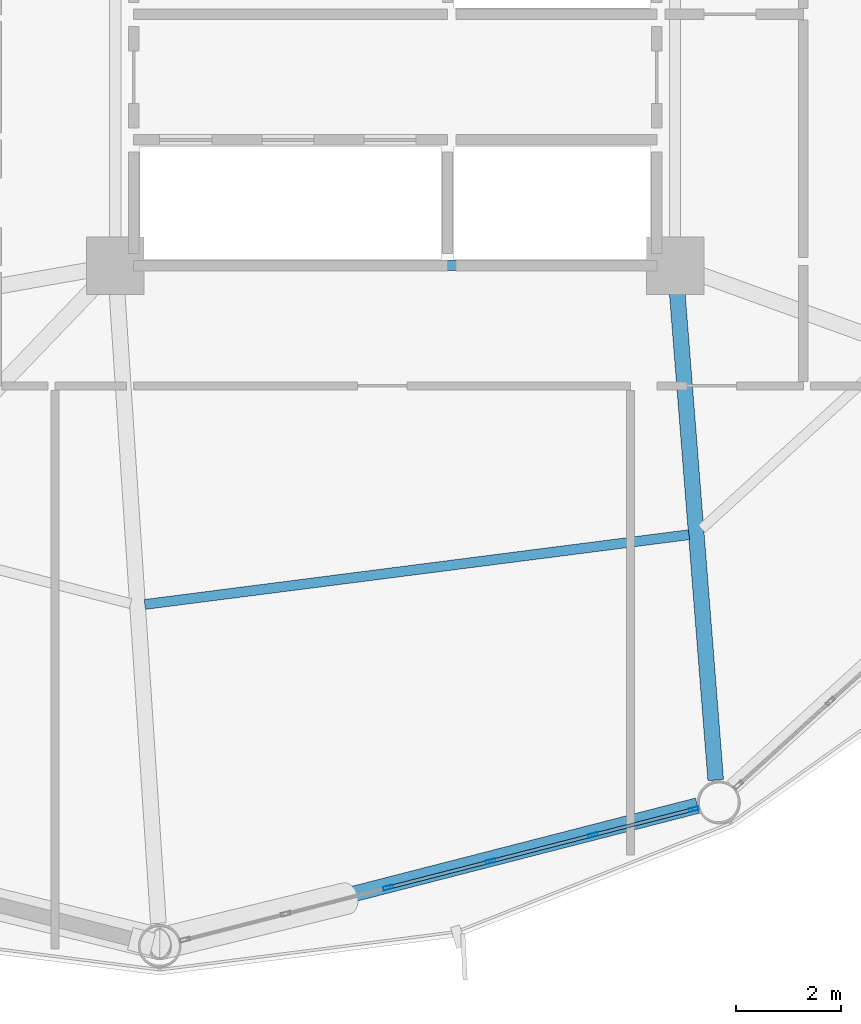
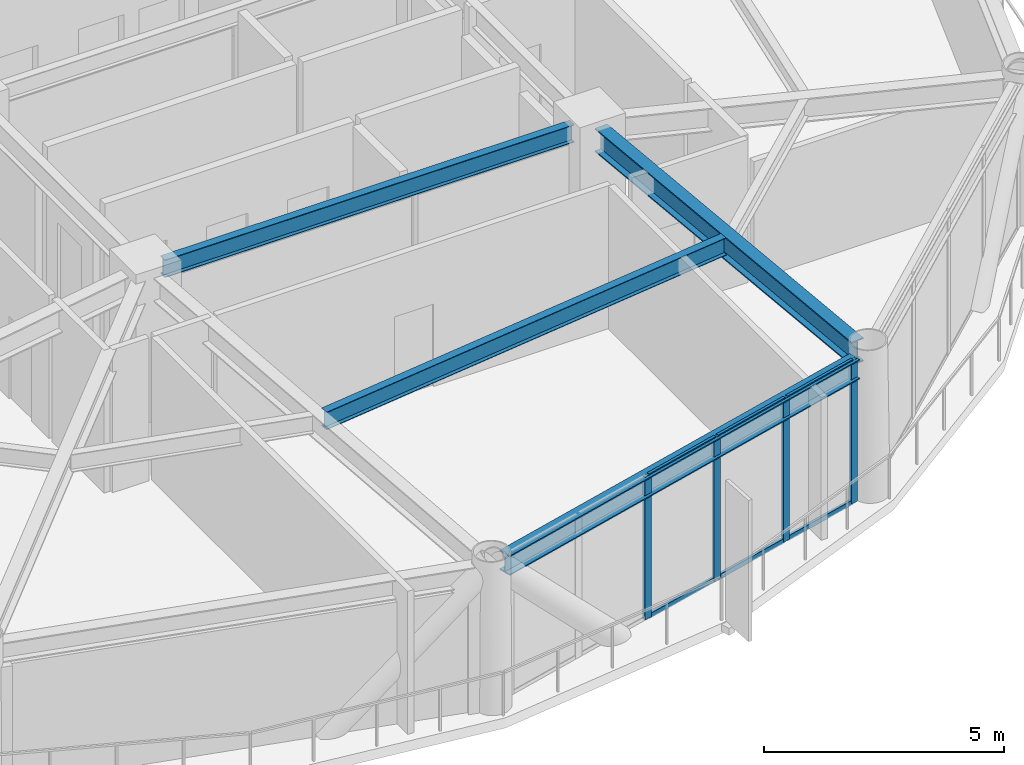
# One storey, part 6 of 23: 10 members, 4 beams, 1 element without a shape of its own.
"""IFC4 building model written with IfcOpenShell, lengths in metres."""

from ifc_helpers import new_model, si_unit, direction, frame, origin, origin_2d, place, context, subcontext, project, spatial, hollow_rectangle, i_section, extrude, material, layer, layer_set, material_profile, profile_set, type_object, element, aggregate, save


model = new_model("IFC4")

# Units and contexts
model_context = context("Model", 3, precision=1e-05, world=origin(), true_north=direction((0.0, 1.0)))
body_context = subcontext(model_context, "Body", "Model", "MODEL_VIEW")
ifc_project = project(units=[si_unit("LENGTHUNIT", "METRE"), si_unit("AREAUNIT", "SQUARE_METRE"), si_unit("VOLUMEUNIT", "CUBIC_METRE"), si_unit("PLANEANGLEUNIT", "RADIAN"), si_unit("MASSUNIT", "GRAM", prefix="KILO")], contexts=[model_context])

# Site, building, storey
site_placement = place(None, origin())
site = spatial("IfcSite", under=ifc_project, at=site_placement, CompositionType="ELEMENT")
building_placement = place(site_placement, origin())
building = spatial("IfcBuilding", under=site, at=building_placement, Name="Varnakorn Sky Granary", CompositionType="ELEMENT")
storey_placement = place(building_placement, frame((0.0, 0.0, 107.10009765625)))
storey = spatial("IfcBuildingStorey", under=building, at=storey_placement, Name="L26", CompositionType="ELEMENT", Elevation=107.10009765625)

# Beams
ifc_material_1 = material(Name="Steel S355JR", Category="steel")
ifc_material_profile_1 = material_profile(ifc_material_1, i_section(OverallWidth=0.300048828125, OverallDepth=0.60009765625, WebThickness=0.015380859375, FlangeThickness=0.030029296875, at=origin_2d()), Name="HE 600 B")
ifc_profile_set_1 = profile_set([ifc_material_profile_1], Name="Steel S355JR")
beam_type_1 = type_object("IfcBeamType", Name="BM-RAD-Z2", PredefinedType="BEAM", material=ifc_profile_set_1)
beam_1_placement = place(storey_placement, frame((8.383056640625, -7.018798828125, 3.33984375), z_axis=(0.07872411487, -0.996896440829, 0.0), x_axis=(0.996896440829, 0.07872411487, 0.0)))
element("IfcBeam", 1, at=beam_1_placement, inside=storey, type_object=beam_type_1, Name="Radial Floor Girder RG11 L26", PredefinedType="BEAM", context=body_context, shape_type="SweptSolid", body=[
    extrude(i_section(OverallWidth=0.300048828125, OverallDepth=0.60009765625, WebThickness=0.015380859375, FlangeThickness=0.030029296875, at=origin_2d()), origin(), (0.0, 0.0, 1.0), 9.4462890625),
])
ifc_material_profile_2 = material_profile(ifc_material_1, i_section(OverallWidth=0.18994140625, OverallDepth=0.449951171875, WebThickness=0.009521484375, FlangeThickness=0.0146484375, at=origin_2d()), Name="IPE 450")
ifc_profile_set_2 = profile_set([ifc_material_profile_2], Name="Steel S355JR")
beam_type_2 = type_object("IfcBeamType", Name="BM-SEC-Z2", PredefinedType="BEAM", material=ifc_profile_set_2)
beam_2_placement = place(storey_placement, frame((-1.78515625, -13.078369140625, 3.414794921875), z_axis=(0.991884375176, 0.127143172378, 0.0), x_axis=(-0.127143172378, 0.991884375176, 0.0)))
element("IfcBeam", 2, at=beam_2_placement, inside=storey, type_object=beam_type_2, Name="Secondary Floor Chord Beam MSB10 L26", PredefinedType="BEAM", context=body_context, shape_type="SweptSolid", body=[
    extrude(i_section(OverallWidth=0.18994140625, OverallDepth=0.449951171875, WebThickness=0.009521484375, FlangeThickness=0.0146484375, at=origin_2d()), origin(), (0.0, 0.0, 1.0), 10.486328125),
])
beam_3_placement = place(storey_placement, frame((-1.929931640625, -6.60009765625, 3.414794921875), z_axis=(1.0, 0.0, 0.0), x_axis=(0.0, 1.0, 0.0)))
element("IfcBeam", 3, at=beam_3_placement, inside=storey, type_object=beam_type_2, Name="Core Spine Framing Beam 6 L26", PredefinedType="BEAM", context=body_context, shape_type="SweptSolid", body=[
    extrude(i_section(OverallWidth=0.18994140625, OverallDepth=0.449951171875, WebThickness=0.009521484375, FlangeThickness=0.0146484375, at=origin_2d()), origin(), (0.0, 0.0, 1.0), 9.85986328125),
])
ifc_material_profile_3 = material_profile(ifc_material_1, i_section(OverallWidth=0.300048828125, OverallDepth=0.5, WebThickness=0.014404296875, FlangeThickness=0.028076171875, at=origin_2d()), Name="HE 500 B")
ifc_profile_set_3 = profile_set([ifc_material_profile_3], Name="Steel S355JR")
beam_type_3 = type_object("IfcBeamType", Name="BM-SPD-Z2", PredefinedType="SPANDREL", material=ifc_profile_set_3)
beam_4_placement = place(storey_placement, frame((-1.120849609375, -19.466552734375, 3.389892578125), z_axis=(0.968546902543, 0.248831062318, 0.0), x_axis=(-0.248831062318, 0.968546902543, 0.0)))
element("IfcBeam", 4, at=beam_4_placement, inside=storey, type_object=beam_type_3, Name="Perimeter Spandrel Ring Beam RB10 L26", PredefinedType="SPANDREL", context=body_context, shape_type="SweptSolid", body=[
    extrude(i_section(OverallWidth=0.300048828125, OverallDepth=0.5, WebThickness=0.014404296875, FlangeThickness=0.028076171875, at=origin_2d()), origin(), (0.0, 0.0, 1.0), 10.220703125),
])

# Curtain wall, members
ifc_material_2 = material(Name="Anodised Bronze Aluminium Alloy 6063-T6", Category="aluminium")
ifc_layer = layer(ifc_material_2, 0.179931640625, Name="Anodised Bronze Aluminium Alloy 6063-T6")
ifc_layer_set = layer_set([ifc_layer], Name="Anodised Bronze Aluminium Alloy 6063-T6")
curtain_wall_type = type_object("IfcCurtainWallType", Name="CW-FRM-2", PredefinedType="USERDEFINED", material=ifc_layer_set)
curtain_wall_placement = place(storey_placement, origin())
curtain_wall = element("IfcCurtainWall", 5, at=curtain_wall_placement, inside=storey, type_object=curtain_wall_type, Name="Unitised Curtain Wall CW4 CW-L26-B10", ObjectType="CURTAIN WALL", PredefinedType="USERDEFINED")
ifc_material_profile_4 = material_profile(ifc_material_2, hollow_rectangle(XDim=0.070068359375, YDim=0.18505859375, WallThickness=0.00390625, at=origin_2d()), Name="ALU MULL 70x185")
ifc_profile_set_4 = profile_set([ifc_material_profile_4], Name="Anodised Bronze Aluminium Alloy 6063-T6")
member_type_1 = type_object("IfcMemberType", Name="CW-FRM-2-MULL", PredefinedType="MULLION", material=ifc_profile_set_4)
member_1_placement = place(storey_placement, frame((8.705322265625, -16.9921875, 0.0), z_axis=(0.0, 0.0, 1.0), x_axis=(0.248636297622, -0.968596919004, 0.0)))
member_1 = element("IfcMember", 6, at=member_1_placement, type_object=member_type_1, Name="CW4 mullion 1", PredefinedType="MULLION", context=body_context, shape_type="SweptSolid", body=[
    extrude(hollow_rectangle(XDim=0.070068359375, YDim=0.18505859375, WallThickness=0.00390625, at=origin_2d()), origin(), (0.0, 0.0, 1.0), 3.639892578125),
])
member_2_placement = place(storey_placement, frame((6.78173828125, -17.486083984375, 0.0), z_axis=(0.0, 0.0, 1.0), x_axis=(0.248636297622, -0.968596919004, 0.0)))
member_2 = element("IfcMember", 7, at=member_2_placement, type_object=member_type_1, Name="CW4 mullion 2", PredefinedType="MULLION", context=body_context, shape_type="SweptSolid", body=[
    extrude(hollow_rectangle(XDim=0.070068359375, YDim=0.18505859375, WallThickness=0.00390625, at=origin_2d()), origin(), (0.0, 0.0, 1.0), 3.639892578125),
])
member_3_placement = place(storey_placement, frame((4.82421875, -17.988525390625, 0.0), z_axis=(0.0, 0.0, 1.0), x_axis=(0.248636297622, -0.968596919004, 0.0)))
member_3 = element("IfcMember", 8, at=member_3_placement, type_object=member_type_1, Name="CW4 mullion 3", PredefinedType="MULLION", context=body_context, shape_type="SweptSolid", body=[
    extrude(hollow_rectangle(XDim=0.070068359375, YDim=0.18505859375, WallThickness=0.00390625, at=origin_2d()), origin(), (0.0, 0.0, 1.0), 3.639892578125),
])
member_4_placement = place(storey_placement, frame((2.86669921875, -18.490966796875, 0.0), z_axis=(0.0, 0.0, 1.0), x_axis=(0.248636297622, -0.968596919004, 0.0)))
member_4 = element("IfcMember", 9, at=member_4_placement, type_object=member_type_1, Name="CW4 mullion 4", PredefinedType="MULLION", context=body_context, shape_type="SweptSolid", body=[
    extrude(hollow_rectangle(XDim=0.070068359375, YDim=0.18505859375, WallThickness=0.00390625, at=origin_2d()), origin(), (0.0, 0.0, 1.0), 3.639892578125),
])
ifc_material_profile_5 = material_profile(ifc_material_2, hollow_rectangle(XDim=0.06494140625, YDim=0.1201171875, WallThickness=0.00341796875, at=origin_2d()), Name="ALU TRAN 65x120")
ifc_profile_set_5 = profile_set([ifc_material_profile_5], Name="Anodised Bronze Aluminium Alloy 6063-T6")
member_type_2 = type_object("IfcMemberType", Name="CW-FRM-2-TRAN", PredefinedType="USERDEFINED", material=ifc_profile_set_5)
member_5_placement = place(storey_placement, frame((8.67138671875, -17.0009765625, 0.032470703125), z_axis=(-0.968601731905, -0.248617547552, 0.0), x_axis=(0.248617547552, -0.968601731905, 0.0)))
member_5 = element("IfcMember", 10, at=member_5_placement, type_object=member_type_2, Name="CW4 transom 1.1", ObjectType="TRANSOM", PredefinedType="USERDEFINED", context=body_context, shape_type="SweptSolid", body=[
    extrude(hollow_rectangle(XDim=0.06494140625, YDim=0.1201171875, WallThickness=0.00341796875, at=origin_2d()), origin(), (0.0, 0.0, 1.0), 1.915771484375),
])
member_6_placement = place(storey_placement, frame((8.67138671875, -17.0009765625, 3.607421875), z_axis=(-0.968601731905, -0.248617547552, 0.0), x_axis=(0.248617547552, -0.968601731905, 0.0)))
member_6 = element("IfcMember", 11, at=member_6_placement, type_object=member_type_2, Name="CW4 transom 1.2", ObjectType="TRANSOM", PredefinedType="USERDEFINED", context=body_context, shape_type="SweptSolid", body=[
    extrude(hollow_rectangle(XDim=0.06494140625, YDim=0.1201171875, WallThickness=0.00341796875, at=origin_2d()), origin(), (0.0, 0.0, 1.0), 1.915771484375),
])
member_7_placement = place(storey_placement, frame((6.747802734375, -17.494873046875, 0.032470703125), z_axis=(-0.968622163139, -0.248537934883, 0.0), x_axis=(0.248537934883, -0.968622163139, 0.0)))
member_7 = element("IfcMember", 12, at=member_7_placement, type_object=member_type_2, Name="CW4 transom 2.1", ObjectType="TRANSOM", PredefinedType="USERDEFINED", context=body_context, shape_type="SweptSolid", body=[
    extrude(hollow_rectangle(XDim=0.06494140625, YDim=0.1201171875, WallThickness=0.00341796875, at=origin_2d()), origin(), (0.0, 0.0, 1.0), 1.950927734375),
])
member_8_placement = place(storey_placement, frame((6.747802734375, -17.494873046875, 3.607421875), z_axis=(-0.968622163139, -0.248537934883, 0.0), x_axis=(0.248537934883, -0.968622163139, 0.0)))
member_8 = element("IfcMember", 13, at=member_8_placement, type_object=member_type_2, Name="CW4 transom 2.2", ObjectType="TRANSOM", PredefinedType="USERDEFINED", context=body_context, shape_type="SweptSolid", body=[
    extrude(hollow_rectangle(XDim=0.06494140625, YDim=0.1201171875, WallThickness=0.00341796875, at=origin_2d()), origin(), (0.0, 0.0, 1.0), 1.950927734375),
])
member_9_placement = place(storey_placement, frame((4.790283203125, -17.997314453125, 0.032470703125), z_axis=(-0.968592029638, -0.248655344043, 0.0), x_axis=(0.248655344043, -0.968592029638, 0.0)))
member_9 = element("IfcMember", 14, at=member_9_placement, type_object=member_type_2, Name="CW4 transom 3.1", ObjectType="TRANSOM", PredefinedType="USERDEFINED", context=body_context, shape_type="SweptSolid", body=[
    extrude(hollow_rectangle(XDim=0.06494140625, YDim=0.1201171875, WallThickness=0.00341796875, at=origin_2d()), origin(), (0.0, 0.0, 1.0), 1.950927734375),
])
member_10_placement = place(storey_placement, frame((4.790283203125, -17.997314453125, 3.607421875), z_axis=(-0.968592029638, -0.248655344043, 0.0), x_axis=(0.248655344043, -0.968592029638, 0.0)))
member_10 = element("IfcMember", 15, at=member_10_placement, type_object=member_type_2, Name="CW4 transom 3.2", ObjectType="TRANSOM", PredefinedType="USERDEFINED", context=body_context, shape_type="SweptSolid", body=[
    extrude(hollow_rectangle(XDim=0.06494140625, YDim=0.1201171875, WallThickness=0.00341796875, at=origin_2d()), origin(), (0.0, 0.0, 1.0), 1.950927734375),
])
aggregate(curtain_wall, [member_1, member_2, member_3, member_4, member_5, member_6, member_7, member_8, member_9, member_10])

save(model, "model.ifc")
